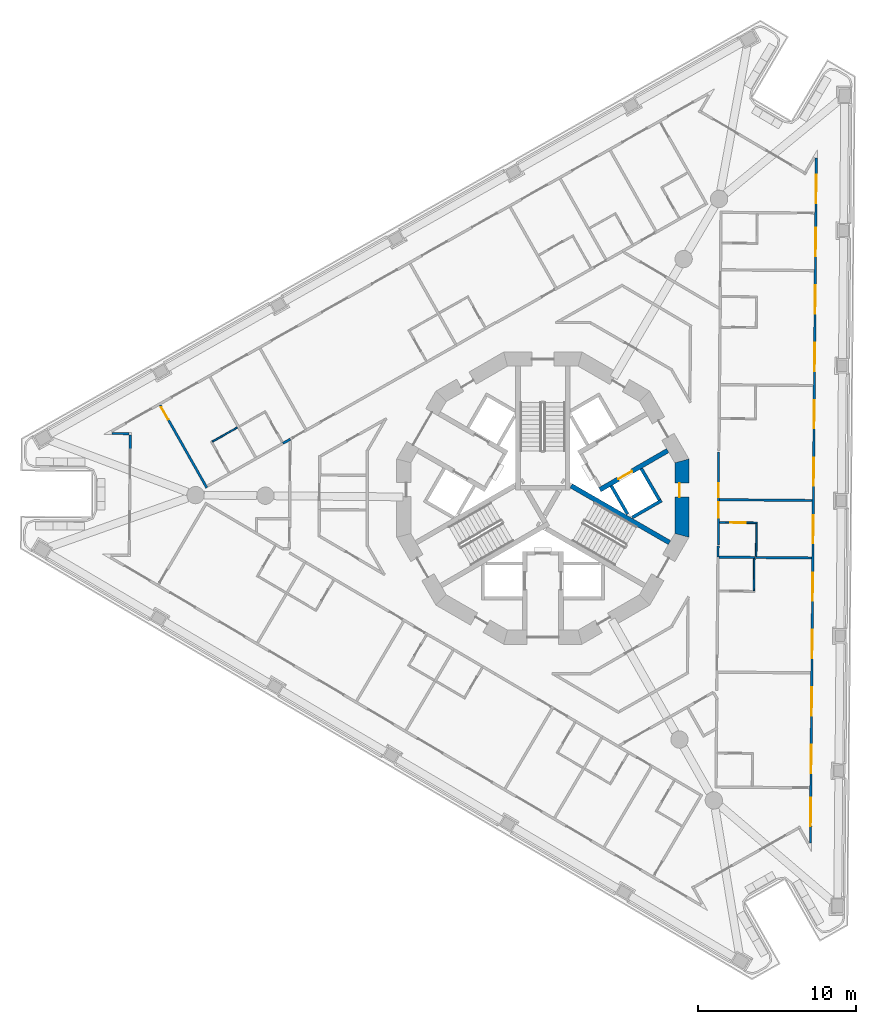
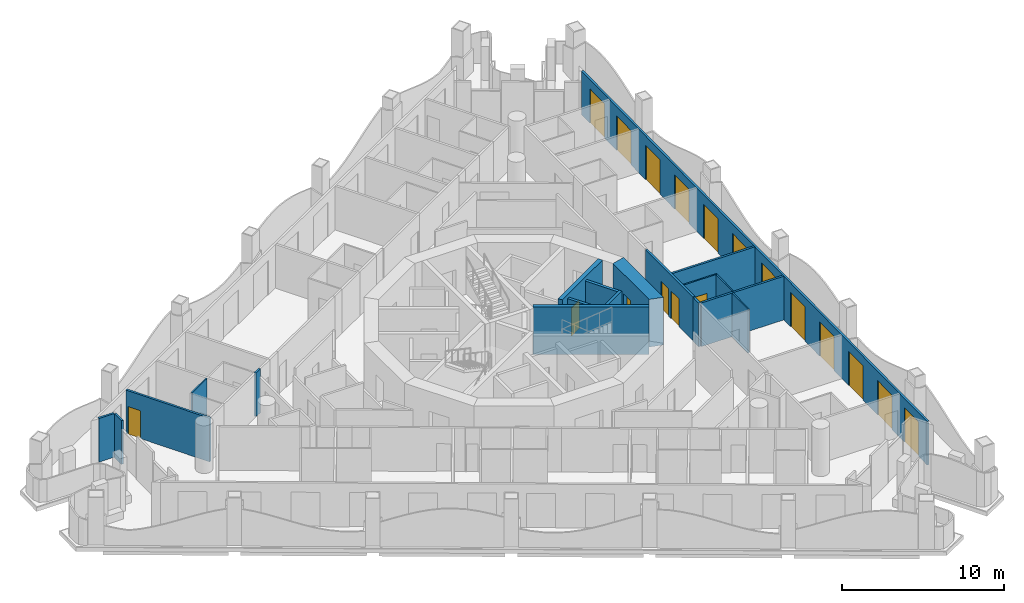
# One storey, part 6 of 17: 20 walls, 18 doors, 18 openings.
"""IFC4 building model written with IfcOpenShell, lengths in metres."""

from ifc_helpers import new_model, si_unit, direction, frame, frame_2d, origin, place, context, subcontext, project, spatial, polyline, rectangle, outline, extrude, material, layer, layer_set, type_object, element, fill, save


model = new_model("IFC4")

# Units and contexts
model_context = context("Model", 3, precision=1e-05, world=origin(), true_north=direction((0.0, 1.0)))
body_context = subcontext(model_context, "Body", "Model", "MODEL_VIEW")
ifc_project = project(units=[si_unit("LENGTHUNIT", "METRE"), si_unit("AREAUNIT", "SQUARE_METRE"), si_unit("VOLUMEUNIT", "CUBIC_METRE"), si_unit("PLANEANGLEUNIT", "RADIAN"), si_unit("MASSUNIT", "GRAM", prefix="KILO")], contexts=[model_context])

# Site, building, storey
site_placement = place(None, origin())
site = spatial("IfcSite", under=ifc_project, at=site_placement, CompositionType="ELEMENT")
building_placement = place(site_placement, origin())
building = spatial("IfcBuilding", under=site, at=building_placement, Name="Trine Commons Tower", CompositionType="ELEMENT")
storey_placement = place(building_placement, frame((0.0, 0.0, 164.699951171875)))
storey = spatial("IfcBuildingStorey", under=building, at=storey_placement, Name="L42", CompositionType="ELEMENT", Elevation=164.699951171875)

# Walls
ifc_material_1 = material(Name="Aluminium-framed insulated wall panel", Category="aluminium")
ifc_layer_1 = layer(ifc_material_1, 0.14990234375)
ifc_layer_set_1 = layer_set([ifc_layer_1], Name="Aluminium-framed insulated wall panel")
wall_type_1 = type_object("IfcWallType", Name="Glazed frame wall 150, EI 60", PredefinedType="SOLIDWALL", material=ifc_layer_set_1)
wall_1_placement = place(storey_placement, frame((53.816162109375, 65.628662109375, 0.0), z_axis=(0.0, 0.0, 1.0), x_axis=(0.008788723053, 0.999961378428, 0.0)))
element("IfcWall", 1, at=wall_1_placement, inside=storey, type_object=wall_type_1, Name="Glazed frame wall P1.5", PredefinedType="SOLIDWALL", context=body_context, shape_type="SweptSolid", body=[
    extrude(outline(polyline([(0.889892578125, 0.074951171875), (0.0, 0.074951171875), (0.0, -0.074951171875), (0.889892578125, -0.074951171875), (0.889892578125, 0.074951171875)])), origin(), (0.0, 0.0, 1.0), 3.300048828125),
])
wall_2_placement = place(storey_placement, frame((53.859619140625, 66.59326171875, 0.0), z_axis=(0.0, 0.0, 1.0), x_axis=(-0.999962043845, 0.008712684354, 0.0)))
element("IfcWall", 2, at=wall_2_placement, inside=storey, type_object=wall_type_1, Name="Glazed frame wall R3", PredefinedType="SOLIDWALL", context=body_context, shape_type="SweptSolid", body=[
    extrude(outline(polyline([(0.110107421875, 0.074951171875), (0.110107421875, -0.074951171875), (1.19580078125, -0.074951171875), (1.19580078125, 0.074951171875), (0.110107421875, 0.074951171875)])), origin(), (0.0, 0.0, 1.0), 3.300048828125),
])

# Wall, openings, doors
wall_3_placement = place(storey_placement, frame((97.36279296875, 84.232421875, 0.0), z_axis=(0.0, 0.0, 1.0), x_axis=(-0.00872447395, -0.999961941053, 0.0)))
wall_3 = element("IfcWall", 3, at=wall_3_placement, inside=storey, type_object=wall_type_1, Name="Glazed frame wall F2", PredefinedType="SOLIDWALL", context=body_context, shape_type="SweptSolid", body=[
    extrude(outline(polyline([(0.1494140625, 0.074951171875), (0.1494140625, -0.074951171875), (43.616943359375, -0.074951171875), (43.616943359375, 0.074951171875), (0.1494140625, 0.074951171875)])), origin(), (0.0, 0.0, 1.0), 3.300048828125),
])
opening_1_placement = place(wall_3_placement, frame((1.2236328125, 0.0, 0.0)))
opening_1 = element("IfcOpeningElement", 4, at=opening_1_placement, cuts=wall_3, Name="Opening BD-5F2-01", PredefinedType="OPENING", context=body_context, shape_type="SweptSolid", body=[
    extrude(rectangle(XDim=1.800048828125, YDim=2.60009765625, at=frame_2d((0.89990234375, 1.300048828125))), frame((0.0, 0.0849609375, 0.0), z_axis=(0.0, -1.0, 0.0), x_axis=(1.0, 0.0, 0.0)), (0.0, 0.0, 1.0), 0.169921875),
])
opening_2_placement = place(wall_3_placement, frame((4.57080078125, 0.0, 0.0)))
opening_2 = element("IfcOpeningElement", 5, at=opening_2_placement, cuts=wall_3, Name="Opening BD-5F2-02", PredefinedType="OPENING", context=body_context, shape_type="SweptSolid", body=[
    extrude(rectangle(XDim=1.800048828125, YDim=2.60009765625, at=frame_2d((0.89990234375, 1.300048828125))), frame((0.0, 0.0849609375, 0.0), z_axis=(0.0, -1.0, 0.0), x_axis=(1.0, 0.0, 0.0)), (0.0, 0.0, 1.0), 0.169921875),
])
opening_3_placement = place(wall_3_placement, frame((8.218017578125, 0.0, 0.0)))
opening_3 = element("IfcOpeningElement", 6, at=opening_3_placement, cuts=wall_3, Name="Opening BD-5F2-03", PredefinedType="OPENING", context=body_context, shape_type="SweptSolid", body=[
    extrude(rectangle(XDim=1.800048828125, YDim=2.60009765625, at=frame_2d((0.89990234375, 1.300048828125))), frame((0.0, 0.0849609375, 0.0), z_axis=(0.0, -1.0, 0.0), x_axis=(1.0, 0.0, 0.0)), (0.0, 0.0, 1.0), 0.169921875),
])
opening_4_placement = place(wall_3_placement, frame((11.865234375, 0.0, 0.0)))
opening_4 = element("IfcOpeningElement", 7, at=opening_4_placement, cuts=wall_3, Name="Opening BD-5F2-04", PredefinedType="OPENING", context=body_context, shape_type="SweptSolid", body=[
    extrude(rectangle(XDim=1.800048828125, YDim=2.60009765625, at=frame_2d((0.89990234375, 1.300048828125))), frame((0.0, 0.0849609375, 0.0), z_axis=(0.0, -1.0, 0.0), x_axis=(1.0, 0.0, 0.0)), (0.0, 0.0, 1.0), 0.169921875),
])
opening_5_placement = place(wall_3_placement, frame((15.512451171875, 0.0, 0.0)))
opening_5 = element("IfcOpeningElement", 8, at=opening_5_placement, cuts=wall_3, Name="Opening BD-5F2-05", PredefinedType="OPENING", context=body_context, shape_type="SweptSolid", body=[
    extrude(rectangle(XDim=1.800048828125, YDim=2.60009765625, at=frame_2d((0.89990234375, 1.300048828125))), frame((0.0, 0.0849609375, 0.0), z_axis=(0.0, -1.0, 0.0), x_axis=(1.0, 0.0, 0.0)), (0.0, 0.0, 1.0), 0.169921875),
])
opening_6_placement = place(wall_3_placement, frame((19.15966796875, 0.0, 0.0)))
opening_6 = element("IfcOpeningElement", 9, at=opening_6_placement, cuts=wall_3, Name="Opening BD-5F2-06", PredefinedType="OPENING", context=body_context, shape_type="SweptSolid", body=[
    extrude(rectangle(XDim=1.800048828125, YDim=2.60009765625, at=frame_2d((0.89990234375, 1.300048828125))), frame((0.0, 0.0849609375, 0.0), z_axis=(0.0, -1.0, 0.0), x_axis=(1.0, 0.0, 0.0)), (0.0, 0.0, 1.0), 0.169921875),
])
opening_7_placement = place(wall_3_placement, frame((22.806884765625, 0.0, 0.0)))
opening_7 = element("IfcOpeningElement", 10, at=opening_7_placement, cuts=wall_3, Name="Opening BD-5F2-07", PredefinedType="OPENING", context=body_context, shape_type="SweptSolid", body=[
    extrude(rectangle(XDim=1.800048828125, YDim=2.60009765625, at=frame_2d((0.89990234375, 1.300048828125))), frame((0.0, 0.0849609375, 0.0), z_axis=(0.0, -1.0, 0.0), x_axis=(1.0, 0.0, 0.0)), (0.0, 0.0, 1.0), 0.169921875),
])
opening_8_placement = place(wall_3_placement, frame((26.4541015625, 0.0, 0.0)))
opening_8 = element("IfcOpeningElement", 11, at=opening_8_placement, cuts=wall_3, Name="Opening BD-5F2-08", PredefinedType="OPENING", context=body_context, shape_type="SweptSolid", body=[
    extrude(rectangle(XDim=1.800048828125, YDim=2.60009765625, at=frame_2d((0.89990234375, 1.300048828125))), frame((0.0, 0.0849609375, 0.0), z_axis=(0.0, -1.0, 0.0), x_axis=(1.0, 0.0, 0.0)), (0.0, 0.0, 1.0), 0.169921875),
])
opening_9_placement = place(wall_3_placement, frame((30.101318359375, 0.0, 0.0)))
opening_9 = element("IfcOpeningElement", 12, at=opening_9_placement, cuts=wall_3, Name="Opening BD-5F2-09", PredefinedType="OPENING", context=body_context, shape_type="SweptSolid", body=[
    extrude(rectangle(XDim=1.800048828125, YDim=2.60009765625, at=frame_2d((0.89990234375, 1.300048828125))), frame((0.0, 0.0849609375, 0.0), z_axis=(0.0, -1.0, 0.0), x_axis=(1.0, 0.0, 0.0)), (0.0, 0.0, 1.0), 0.169921875),
])
opening_10_placement = place(wall_3_placement, frame((33.748291015625, 0.0, 0.0)))
opening_10 = element("IfcOpeningElement", 13, at=opening_10_placement, cuts=wall_3, Name="Opening BD-5F2-10", PredefinedType="OPENING", context=body_context, shape_type="SweptSolid", body=[
    extrude(rectangle(XDim=1.800048828125, YDim=2.60009765625, at=frame_2d((0.89990234375, 1.300048828125))), frame((0.0, 0.0849609375, 0.0), z_axis=(0.0, -1.0, 0.0), x_axis=(1.0, 0.0, 0.0)), (0.0, 0.0, 1.0), 0.169921875),
])
opening_11_placement = place(wall_3_placement, frame((37.3955078125, 0.0, 0.0)))
opening_11 = element("IfcOpeningElement", 14, at=opening_11_placement, cuts=wall_3, Name="Opening BD-5F2-11", PredefinedType="OPENING", context=body_context, shape_type="SweptSolid", body=[
    extrude(rectangle(XDim=1.800048828125, YDim=2.60009765625, at=frame_2d((0.89990234375, 1.300048828125))), frame((0.0, 0.0849609375, 0.0), z_axis=(0.0, -1.0, 0.0), x_axis=(1.0, 0.0, 0.0)), (0.0, 0.0, 1.0), 0.169921875),
])
opening_12_placement = place(wall_3_placement, frame((40.742919921875, 0.0, 0.0)))
opening_12 = element("IfcOpeningElement", 15, at=opening_12_placement, cuts=wall_3, Name="Opening BD-5F2-12", PredefinedType="OPENING", context=body_context, shape_type="SweptSolid", body=[
    extrude(rectangle(XDim=1.800048828125, YDim=2.60009765625, at=frame_2d((0.89990234375, 1.300048828125))), frame((0.0, 0.0849609375, 0.0), z_axis=(0.0, -1.0, 0.0), x_axis=(1.0, 0.0, 0.0)), (0.0, 0.0, 1.0), 0.169921875),
])
ifc_material_2 = material(Name="Anodised aluminium frame with double glazing", Category="aluminium")
door_type_1 = type_object("IfcDoorType", Name="Sliding loggia door 1800x2600", OperationType="SLIDING_TO_LEFT", PredefinedType="DOOR", material=ifc_material_2)
door_1_placement = place(opening_1_placement, origin())
door_1 = element("IfcDoor", 16, at=door_1_placement, inside=storey, type_object=door_type_1, Name="Loggia door F2 1", OperationType="SLIDING_TO_LEFT", OverallHeight=2.60009765625, OverallWidth=1.800048828125, PredefinedType="DOOR", context=body_context, shape_type="SweptSolid", body=[
    extrude(rectangle(XDim=1.800048828125, YDim=2.60009765625, at=frame_2d((0.89990234375, 1.300048828125))), frame((0.0, 0.02490234375, 0.0), z_axis=(0.0, -1.0, 0.0), x_axis=(1.0, 0.0, 0.0)), (0.0, 0.0, 1.0), 0.050048828125),
])
fill(opening_1, door_1)
door_2_placement = place(opening_2_placement, origin())
door_2 = element("IfcDoor", 17, at=door_2_placement, inside=storey, type_object=door_type_1, Name="Loggia door F2 2", OperationType="SLIDING_TO_LEFT", OverallHeight=2.60009765625, OverallWidth=1.800048828125, PredefinedType="DOOR", context=body_context, shape_type="SweptSolid", body=[
    extrude(rectangle(XDim=1.800048828125, YDim=2.60009765625, at=frame_2d((0.89990234375, 1.300048828125))), frame((0.0, 0.02490234375, 0.0), z_axis=(0.0, -1.0, 0.0), x_axis=(1.0, 0.0, 0.0)), (0.0, 0.0, 1.0), 0.050048828125),
])
fill(opening_2, door_2)
door_3_placement = place(opening_3_placement, origin())
door_3 = element("IfcDoor", 18, at=door_3_placement, inside=storey, type_object=door_type_1, Name="Loggia door F2 3", OperationType="SLIDING_TO_LEFT", OverallHeight=2.60009765625, OverallWidth=1.800048828125, PredefinedType="DOOR", context=body_context, shape_type="SweptSolid", body=[
    extrude(rectangle(XDim=1.800048828125, YDim=2.60009765625, at=frame_2d((0.89990234375, 1.300048828125))), frame((0.0, 0.02490234375, 0.0), z_axis=(0.0, -1.0, 0.0), x_axis=(1.0, 0.0, 0.0)), (0.0, 0.0, 1.0), 0.050048828125),
])
fill(opening_3, door_3)
door_4_placement = place(opening_4_placement, origin())
door_4 = element("IfcDoor", 19, at=door_4_placement, inside=storey, type_object=door_type_1, Name="Loggia door F2 4", OperationType="SLIDING_TO_LEFT", OverallHeight=2.60009765625, OverallWidth=1.800048828125, PredefinedType="DOOR", context=body_context, shape_type="SweptSolid", body=[
    extrude(rectangle(XDim=1.800048828125, YDim=2.60009765625, at=frame_2d((0.89990234375, 1.300048828125))), frame((0.0, 0.02490234375, 0.0), z_axis=(0.0, -1.0, 0.0), x_axis=(1.0, 0.0, 0.0)), (0.0, 0.0, 1.0), 0.050048828125),
])
fill(opening_4, door_4)
door_5_placement = place(opening_5_placement, origin())
door_5 = element("IfcDoor", 20, at=door_5_placement, inside=storey, type_object=door_type_1, Name="Loggia door F2 5", OperationType="SLIDING_TO_LEFT", OverallHeight=2.60009765625, OverallWidth=1.800048828125, PredefinedType="DOOR", context=body_context, shape_type="SweptSolid", body=[
    extrude(rectangle(XDim=1.800048828125, YDim=2.60009765625, at=frame_2d((0.89990234375, 1.300048828125))), frame((0.0, 0.02490234375, 0.0), z_axis=(0.0, -1.0, 0.0), x_axis=(1.0, 0.0, 0.0)), (0.0, 0.0, 1.0), 0.050048828125),
])
fill(opening_5, door_5)
door_6_placement = place(opening_6_placement, origin())
door_6 = element("IfcDoor", 21, at=door_6_placement, inside=storey, type_object=door_type_1, Name="Loggia door F2 6", OperationType="SLIDING_TO_LEFT", OverallHeight=2.60009765625, OverallWidth=1.800048828125, PredefinedType="DOOR", context=body_context, shape_type="SweptSolid", body=[
    extrude(rectangle(XDim=1.800048828125, YDim=2.60009765625, at=frame_2d((0.89990234375, 1.300048828125))), frame((0.0, 0.02490234375, 0.0), z_axis=(0.0, -1.0, 0.0), x_axis=(1.0, 0.0, 0.0)), (0.0, 0.0, 1.0), 0.050048828125),
])
fill(opening_6, door_6)
door_7_placement = place(opening_7_placement, origin())
door_7 = element("IfcDoor", 22, at=door_7_placement, inside=storey, type_object=door_type_1, Name="Loggia door F2 7", OperationType="SLIDING_TO_LEFT", OverallHeight=2.60009765625, OverallWidth=1.800048828125, PredefinedType="DOOR", context=body_context, shape_type="SweptSolid", body=[
    extrude(rectangle(XDim=1.800048828125, YDim=2.60009765625, at=frame_2d((0.89990234375, 1.300048828125))), frame((0.0, 0.02490234375, 0.0), z_axis=(0.0, -1.0, 0.0), x_axis=(1.0, 0.0, 0.0)), (0.0, 0.0, 1.0), 0.050048828125),
])
fill(opening_7, door_7)
door_8_placement = place(opening_8_placement, origin())
door_8 = element("IfcDoor", 23, at=door_8_placement, inside=storey, type_object=door_type_1, Name="Loggia door F2 8", OperationType="SLIDING_TO_LEFT", OverallHeight=2.60009765625, OverallWidth=1.800048828125, PredefinedType="DOOR", context=body_context, shape_type="SweptSolid", body=[
    extrude(rectangle(XDim=1.800048828125, YDim=2.60009765625, at=frame_2d((0.89990234375, 1.300048828125))), frame((0.0, 0.02490234375, 0.0), z_axis=(0.0, -1.0, 0.0), x_axis=(1.0, 0.0, 0.0)), (0.0, 0.0, 1.0), 0.050048828125),
])
fill(opening_8, door_8)
door_9_placement = place(opening_9_placement, origin())
door_9 = element("IfcDoor", 24, at=door_9_placement, inside=storey, type_object=door_type_1, Name="Loggia door F2 9", OperationType="SLIDING_TO_LEFT", OverallHeight=2.60009765625, OverallWidth=1.800048828125, PredefinedType="DOOR", context=body_context, shape_type="SweptSolid", body=[
    extrude(rectangle(XDim=1.800048828125, YDim=2.60009765625, at=frame_2d((0.89990234375, 1.300048828125))), frame((0.0, 0.02490234375, 0.0), z_axis=(0.0, -1.0, 0.0), x_axis=(1.0, 0.0, 0.0)), (0.0, 0.0, 1.0), 0.050048828125),
])
fill(opening_9, door_9)
door_10_placement = place(opening_10_placement, origin())
door_10 = element("IfcDoor", 25, at=door_10_placement, inside=storey, type_object=door_type_1, Name="Loggia door F2 10", OperationType="SLIDING_TO_LEFT", OverallHeight=2.60009765625, OverallWidth=1.800048828125, PredefinedType="DOOR", context=body_context, shape_type="SweptSolid", body=[
    extrude(rectangle(XDim=1.800048828125, YDim=2.60009765625, at=frame_2d((0.89990234375, 1.300048828125))), frame((0.0, 0.02490234375, 0.0), z_axis=(0.0, -1.0, 0.0), x_axis=(1.0, 0.0, 0.0)), (0.0, 0.0, 1.0), 0.050048828125),
])
fill(opening_10, door_10)
door_11_placement = place(opening_11_placement, origin())
door_11 = element("IfcDoor", 26, at=door_11_placement, inside=storey, type_object=door_type_1, Name="Loggia door F2 11", OperationType="SLIDING_TO_LEFT", OverallHeight=2.60009765625, OverallWidth=1.800048828125, PredefinedType="DOOR", context=body_context, shape_type="SweptSolid", body=[
    extrude(rectangle(XDim=1.800048828125, YDim=2.60009765625, at=frame_2d((0.89990234375, 1.300048828125))), frame((0.0, 0.02490234375, 0.0), z_axis=(0.0, -1.0, 0.0), x_axis=(1.0, 0.0, 0.0)), (0.0, 0.0, 1.0), 0.050048828125),
])
fill(opening_11, door_11)
door_12_placement = place(opening_12_placement, origin())
door_12 = element("IfcDoor", 27, at=door_12_placement, inside=storey, type_object=door_type_1, Name="Loggia door F2 12", OperationType="SLIDING_TO_LEFT", OverallHeight=2.60009765625, OverallWidth=1.800048828125, PredefinedType="DOOR", context=body_context, shape_type="SweptSolid", body=[
    extrude(rectangle(XDim=1.800048828125, YDim=2.60009765625, at=frame_2d((0.89990234375, 1.300048828125))), frame((0.0, 0.02490234375, 0.0), z_axis=(0.0, -1.0, 0.0), x_axis=(1.0, 0.0, 0.0)), (0.0, 0.0, 1.0), 0.050048828125),
])
fill(opening_12, door_12)

# Wall, opening, door
ifc_material_3 = material(Name="Concrete C60/75", Category="concrete")
ifc_layer_2 = layer(ifc_material_3, 0.300048828125)
ifc_layer_set_2 = layer_set([ifc_layer_2], Name="Concrete C60/75")
wall_type_2 = type_object("IfcWallType", Name="RC shear wall 300 mm, C60/75", PredefinedType="SHEAR", material=ifc_layer_set_2)
wall_4_placement = place(storey_placement, frame((83.618896484375, 63.031005859375, 0.0), z_axis=(0.0, 0.0, 1.0), x_axis=(0.866080953719, 0.499903772346, 0.0)))
wall_4 = element("IfcWall", 28, at=wall_4_placement, inside=storey, type_object=wall_type_2, Name="Core cross wall SWB-06 L42", PredefinedType="SHEAR", context=body_context, shape_type="SweptSolid", body=[
    extrude(rectangle(XDim=4.97314453125, YDim=0.300048828125, at=frame_2d((2.486572265625, 0.0))), origin(), (0.0, 0.0, 1.0), 3.60009765625),
])
opening_13_placement = place(wall_4_placement, frame((1.350341796875, 0.0, 0.0)))
opening_13 = element("IfcOpeningElement", 29, at=opening_13_placement, cuts=wall_4, Name="Opening LD6", PredefinedType="OPENING", context=body_context, shape_type="SweptSolid", body=[
    extrude(rectangle(XDim=1.0, YDim=2.10009765625, at=frame_2d((0.5, 1.050048828125))), frame((0.0, 0.159912109375, 0.0), z_axis=(0.0, -1.0, 0.0), x_axis=(1.0, 0.0, 0.0)), (0.0, 0.0, 1.0), 0.320068359375),
])
ifc_material_4 = material(Name="Stainless steel sliding door leaves", Category="steel")
door_type_2 = type_object("IfcDoorType", Name="Lift landing door, centre-opening sliding 1000 x 2100, FD90", OperationType="DOUBLE_DOOR_SLIDING", PredefinedType="DOOR", material=ifc_material_4)
door_13_placement = place(opening_13_placement, origin())
door_13 = element("IfcDoor", 30, at=door_13_placement, inside=storey, type_object=door_type_2, Name="Lift landing door HR2 L42", OperationType="DOUBLE_DOOR_SLIDING", OverallHeight=2.10009765625, OverallWidth=1.0, PredefinedType="DOOR", context=body_context, shape_type="SweptSolid", body=[
    extrude(rectangle(XDim=1.0, YDim=2.10009765625, at=frame_2d((0.5, 1.050048828125))), frame((0.0, 0.02490234375, 0.0), z_axis=(0.0, -1.0, 0.0), x_axis=(1.0, 0.0, 0.0)), (0.0, 0.0, 1.0), 0.050048828125),
])
fill(opening_13, door_13)

# Wall
wall_5_placement = place(storey_placement, frame((81.800048828125, 63.280029296875, 0.0), z_axis=(0.0, 0.0, 1.0), x_axis=(0.866028135082, -0.499995269223, 0.0)))
element("IfcWall", 31, at=wall_5_placement, inside=storey, type_object=wall_type_2, Name="Core cross wall SWB-18 L42", PredefinedType="SHEAR", context=body_context, shape_type="SweptSolid", body=[
    extrude(rectangle(XDim=7.2041015625, YDim=0.300048828125, at=frame_2d((3.60205078125, 0.0))), origin(), (0.0, 0.0, 1.0), 3.60009765625),
])

# Wall, opening, door
ifc_layer_3 = layer(ifc_material_3, 0.89990234375)
ifc_layer_set_3 = layer_set([ifc_layer_3], Name="Concrete C60/75")
wall_type_3 = type_object("IfcWallType", Name="RC shear wall 900 mm, C60/75", PredefinedType="SHEAR", material=ifc_layer_set_3)
wall_6_placement = place(storey_placement, frame((88.822998046875, 60.015380859375, 0.0), z_axis=(0.0, 0.0, 1.0), x_axis=(0.0, 1.0, 0.0)))
wall_6 = element("IfcWall", 32, at=wall_6_placement, inside=storey, type_object=wall_type_3, Name="Core wall CWE-01 L42", PredefinedType="SHEAR", context=body_context, shape_type="SweptSolid", body=[
    extrude(outline(polyline([(0.0, -0.449951171875), (4.969482421875, -0.449951171875), (4.728271484375, 0.449951171875), (0.2412109375, 0.449951171875), (0.0, -0.449951171875)])), origin(), (0.0, 0.0, 1.0), 3.60009765625),
])
opening_14_placement = place(wall_6_placement, frame((2.543701171875, 0.0, 0.0)))
opening_14 = element("IfcOpeningElement", 33, at=opening_14_placement, cuts=wall_6, Name="Opening K09.10", PredefinedType="OPENING", context=body_context, shape_type="SweptSolid", body=[
    extrude(rectangle(XDim=0.89990234375, YDim=2.10009765625, at=frame_2d((0.449951171875, 1.050048828125))), frame((0.0, 0.4599609375, 0.0), z_axis=(0.0, -1.0, 0.0), x_axis=(1.0, 0.0, 0.0)), (0.0, 0.0, 1.0), 0.919921875),
])
ifc_material_5 = material(Name="Steel door leaf, fire-rated", Category="steel")
door_type_3 = type_object("IfcDoorType", Name="Core room door, single leaf 900 x 2100, FD30S", OperationType="SINGLE_SWING_LEFT", PredefinedType="DOOR", material=ifc_material_5)
door_14_placement = place(opening_14_placement, origin())
door_14 = element("IfcDoor", 34, at=door_14_placement, inside=storey, type_object=door_type_3, Name="Door to Core WC L42", OperationType="SINGLE_SWING_RIGHT", OverallHeight=2.10009765625, OverallWidth=0.89990234375, PredefinedType="DOOR", context=body_context, shape_type="SweptSolid", body=[
    extrude(rectangle(XDim=0.89990234375, YDim=2.10009765625, at=frame_2d((0.449951171875, 1.050048828125))), frame((0.0, 0.1748046875, 0.0), z_axis=(0.0, -1.0, 0.0), x_axis=(1.0, 0.0, 0.0)), (0.0, 0.0, 1.0), 0.050048828125),
])
fill(opening_14, door_14)

# Walls
ifc_material_6 = material(Name="Fire-rated gypsum shaft wall system")
ifc_layer_4 = layer(ifc_material_6, 0.199951171875)
ifc_layer_set_4 = layer_set([ifc_layer_4], Name="Fire-rated gypsum shaft wall system")
wall_type_4 = type_object("IfcWallType", Name="Shaft wall 200 mm, EI 120", PredefinedType="PARTITIONING", material=ifc_layer_set_4)
wall_7_placement = place(storey_placement, frame((84.343994140625, 63.27587890625, 0.0), z_axis=(0.0, 0.0, 1.0), x_axis=(0.500271688072, -0.86586848777, 0.0)))
element("IfcWall", 35, at=wall_7_placement, inside=storey, type_object=wall_type_4, Name="Shaft wall L42", PredefinedType="PARTITIONING", context=body_context, shape_type="SweptSolid", body=[
    extrude(rectangle(XDim=2.064697265625, YDim=0.199951171875, at=frame_2d((1.0322265625, 0.0))), origin(), (0.0, 0.0, 1.0), 3.300048828125),
])
wall_8_placement = place(storey_placement, frame((85.675048828125, 61.27392578125, 0.0), z_axis=(0.0, 0.0, 1.0), x_axis=(0.866102336459, 0.499866725018, 0.0)))
element("IfcWall", 36, at=wall_8_placement, inside=storey, type_object=wall_type_4, Name="Shaft wall L42", PredefinedType="PARTITIONING", context=body_context, shape_type="SweptSolid", body=[
    extrude(rectangle(XDim=2.1484375, YDim=0.199951171875, at=frame_2d((1.07421875, 0.0))), origin(), (0.0, 0.0, 1.0), 3.300048828125),
])
wall_9_placement = place(storey_placement, frame((86.2490234375, 64.3759765625, 0.0), z_axis=(0.0, 0.0, 1.0), x_axis=(0.500136062276, -0.86594683394, 0.0)))
element("IfcWall", 37, at=wall_9_placement, inside=storey, type_object=wall_type_4, Name="Shaft wall L42", PredefinedType="PARTITIONING", context=body_context, shape_type="SweptSolid", body=[
    extrude(rectangle(XDim=2.299072265625, YDim=0.199951171875, at=frame_2d((1.1494140625, 0.0))), origin(), (0.0, 0.0, 1.0), 3.300048828125),
])

# Wall, opening, door
ifc_material_7 = material(Name="Gypsum plasterboard on steel stud", Category="steel")
ifc_layer_5 = layer(ifc_material_7, 0.14990234375)
ifc_layer_set_5 = layer_set([ifc_layer_5], Name="Gypsum plasterboard on steel stud")
wall_type_5 = type_object("IfcWallType", Name="Unit and corridor wall 150 mm, EI 60", PredefinedType="PARTITIONING", material=ifc_layer_set_5)
wall_10_placement = place(storey_placement, frame((55.708740234375, 68.401123046875, 0.0), z_axis=(0.0, 0.0, 1.0), x_axis=(0.492481823802, -0.870322729351, 0.0)))
wall_10 = element("IfcWall", 38, at=wall_10_placement, inside=storey, type_object=wall_type_5, Name="Partition 002", PredefinedType="PARTITIONING", context=body_context, shape_type="SweptSolid", body=[
    extrude(rectangle(XDim=6.024658203125, YDim=0.14990234375, at=frame_2d((3.01220703125, 0.0))), origin(), (0.0, 0.0, 1.0), 3.300048828125),
])
opening_15_placement = place(wall_10_placement, frame((0.14990234375, 0.0, 0.0)))
opening_15 = element("IfcOpeningElement", 39, at=opening_15_placement, cuts=wall_10, Name="Opening D-5A06", PredefinedType="OPENING", context=body_context, shape_type="SweptSolid", body=[
    extrude(rectangle(XDim=0.89990234375, YDim=2.10009765625, at=frame_2d((0.449951171875, 1.050048828125))), frame((0.0, 0.0849609375, 0.0), z_axis=(0.0, -1.0, 0.0), x_axis=(1.0, 0.0, 0.0)), (0.0, 0.0, 1.0), 0.169921875),
])
ifc_material_8 = material(Name="Timber fire door set", Category="wood")
door_type_4 = type_object("IfcDoorType", Name="Bedroom door 900 x 2100, FD30S", OperationType="NOTDEFINED", PredefinedType="DOOR", material=ifc_material_8)
door_15_placement = place(opening_15_placement, origin())
door_15 = element("IfcDoor", 40, at=door_15_placement, inside=storey, type_object=door_type_4, Name="Door D-5A06", OperationType="SINGLE_SWING_LEFT", OverallHeight=2.10009765625, OverallWidth=0.89990234375, PredefinedType="DOOR", context=body_context, shape_type="SweptSolid", body=[
    extrude(rectangle(XDim=0.89990234375, YDim=2.10009765625, at=frame_2d((0.449951171875, 1.050048828125))), frame((0.0, 0.02490234375, 0.0), z_axis=(0.0, -1.0, 0.0), x_axis=(1.0, 0.0, 0.0)), (0.0, 0.0, 1.0), 0.050048828125),
])
fill(opening_15, door_15)

# Walls
wall_11_placement = place(storey_placement, frame((63.507080078125, 65.97705078125, 0.0), z_axis=(0.0, 0.0, 1.0), x_axis=(0.869938000449, 0.493161104888, 0.0)))
element("IfcWall", 41, at=wall_11_placement, inside=storey, type_object=wall_type_5, Name="Partition 019", PredefinedType="PARTITIONING", context=body_context, shape_type="SweptSolid", body=[
    extrude(rectangle(XDim=0.5390625, YDim=0.14990234375, at=frame_2d((0.26953125, 0.0))), origin(), (0.0, 0.0, 1.0), 3.300048828125),
])
wall_12_placement = place(storey_placement, frame((91.115966796875, 58.751953125, 0.0), z_axis=(0.0, 0.0, 1.0), x_axis=(0.008511778806, 0.999963774155, 0.0)))
element("IfcWall", 42, at=wall_12_placement, inside=storey, type_object=wall_type_5, Name="Partition 117", PredefinedType="PARTITIONING", context=body_context, shape_type="SweptSolid", body=[
    extrude(rectangle(XDim=0.717041015625, YDim=0.14990234375, at=frame_2d((0.3583984375, 0.0))), origin(), (0.0, 0.0, 1.0), 3.300048828125),
])
wall_13_placement = place(storey_placement, frame((91.19091796875, 58.75537109375, 0.0), z_axis=(0.0, 0.0, 1.0), x_axis=(0.999958547359, -0.009105139424, 0.0)))
element("IfcWall", 43, at=wall_13_placement, inside=storey, type_object=wall_type_5, Name="Partition 118", PredefinedType="PARTITIONING", context=body_context, shape_type="SweptSolid", body=[
    extrude(rectangle(XDim=2.279052734375, YDim=0.14990234375, at=frame_2d((1.1396484375, 0.0))), origin(), (0.0, 0.0, 1.0), 3.300048828125),
])

# Wall, openings, doors
wall_14_placement = place(storey_placement, frame((91.14794921875, 59.512939453125, 0.0), z_axis=(0.0, 0.0, 1.0), x_axis=(0.0, 1.0, 0.0)))
wall_14 = element("IfcWall", 44, at=wall_14_placement, inside=storey, type_object=wall_type_5, Name="Partition 119", PredefinedType="PARTITIONING", context=body_context, shape_type="SweptSolid", body=[
    extrude(rectangle(XDim=5.899169921875, YDim=0.14990234375, at=frame_2d((2.94970703125, 0.0))), origin(), (0.0, 0.0, 1.0), 3.300048828125),
])
opening_16_placement = place(wall_14_placement, frame((3.0400390625, 0.0, 0.0)))
opening_16 = element("IfcOpeningElement", 45, at=opening_16_placement, cuts=wall_14, Name="Opening D-5A15", PredefinedType="OPENING", context=body_context, shape_type="SweptSolid", body=[
    extrude(rectangle(XDim=0.89990234375, YDim=2.10009765625, at=frame_2d((0.449951171875, 1.050048828125))), frame((0.0, 0.0849609375, 0.0), z_axis=(0.0, -1.0, 0.0), x_axis=(1.0, 0.0, 0.0)), (0.0, 0.0, 1.0), 0.169921875),
])
opening_17_placement = place(wall_14_placement, frame((1.739990234375, 0.0, 0.0)))
opening_17 = element("IfcOpeningElement", 46, at=opening_17_placement, cuts=wall_14, Name="Opening D-5A16", PredefinedType="OPENING", context=body_context, shape_type="SweptSolid", body=[
    extrude(rectangle(XDim=1.0, YDim=2.10009765625, at=frame_2d((0.5, 1.050048828125))), frame((0.0, 0.0849609375, 0.0), z_axis=(0.0, -1.0, 0.0), x_axis=(1.0, 0.0, 0.0)), (0.0, 0.0, 1.0), 0.169921875),
])
door_type_5 = type_object("IfcDoorType", Name="Bedroom door 1000 x 2100, FD30S", OperationType="NOTDEFINED", PredefinedType="DOOR", material=ifc_material_8)
door_16_placement = place(opening_17_placement, frame((1.0, 0.0, 0.0), z_axis=(0.0, 0.0, 1.0), x_axis=(-1.0, 0.0, 0.0)))
door_16 = element("IfcDoor", 47, at=door_16_placement, inside=storey, type_object=door_type_5, Name="Door D-5A16", OperationType="SINGLE_SWING_RIGHT", OverallHeight=2.10009765625, OverallWidth=1.0, PredefinedType="DOOR", context=body_context, shape_type="SweptSolid", body=[
    extrude(rectangle(XDim=1.0, YDim=2.10009765625, at=frame_2d((0.5, 1.050048828125))), frame((0.0, 0.02490234375, 0.0), z_axis=(0.0, -1.0, 0.0), x_axis=(1.0, 0.0, 0.0)), (0.0, 0.0, 1.0), 0.050048828125),
])
fill(opening_17, door_16)
door_17_placement = place(opening_16_placement, frame((0.89990234375, 0.0, 0.0), z_axis=(0.0, 0.0, 1.0), x_axis=(-1.0, 0.0, 0.0)))
door_17 = element("IfcDoor", 48, at=door_17_placement, inside=storey, type_object=door_type_4, Name="Door D-5A15", OperationType="SINGLE_SWING_LEFT", OverallHeight=2.10009765625, OverallWidth=0.89990234375, PredefinedType="DOOR", context=body_context, shape_type="SweptSolid", body=[
    extrude(rectangle(XDim=0.89990234375, YDim=2.10009765625, at=frame_2d((0.449951171875, 1.050048828125))), frame((0.0, 0.02490234375, 0.0), z_axis=(0.0, -1.0, 0.0), x_axis=(1.0, 0.0, 0.0)), (0.0, 0.0, 1.0), 0.050048828125),
])
fill(opening_16, door_17)

# Walls
wall_15_placement = place(storey_placement, frame((91.222900390625, 62.40234375, 0.0), z_axis=(0.0, 0.0, 1.0), x_axis=(0.999960815669, -0.008852520937, 0.0)))
element("IfcWall", 49, at=wall_15_placement, inside=storey, type_object=wall_type_5, Name="Partition 121", PredefinedType="PARTITIONING", context=body_context, shape_type="SweptSolid", body=[
    extrude(rectangle(XDim=5.874267578125, YDim=0.14990234375, at=frame_2d((2.93701171875, 0.0))), origin(), (0.0, 0.0, 1.0), 3.300048828125),
])
wall_16_placement = place(storey_placement, frame((93.488037109375, 58.734375, 0.0), z_axis=(0.0, 0.0, 1.0), x_axis=(0.999962431969, -0.00866802463, 0.0)))
element("IfcWall", 50, at=wall_16_placement, inside=storey, type_object=wall_type_5, Name="Partition 138", PredefinedType="PARTITIONING", context=body_context, shape_type="SweptSolid", body=[
    extrude(rectangle(XDim=3.5771484375, YDim=0.14990234375, at=frame_2d((1.78857421875, 0.0))), origin(), (0.0, 0.0, 1.0), 3.300048828125),
])
ifc_layer_6 = layer(ifc_material_7, 0.10009765625)
ifc_layer_set_6 = layer_set([ifc_layer_6], Name="Gypsum plasterboard on steel stud")
wall_type_6 = type_object("IfcWallType", Name="Unit partition 100 mm, no rating", PredefinedType="PARTITIONING", material=ifc_layer_set_6)
wall_17_placement = place(storey_placement, frame((59.026611328125, 66.085693359375, 0.0), z_axis=(0.0, 0.0, 1.0), x_axis=(0.870375876163, 0.492387889974, 0.0)))
element("IfcWall", 51, at=wall_17_placement, inside=storey, type_object=wall_type_6, Name="Partition 007", PredefinedType="PARTITIONING", context=body_context, shape_type="SweptSolid", body=[
    extrude(rectangle(XDim=1.82470703125, YDim=0.10009765625, at=frame_2d((0.912353515625, 0.0))), origin(), (0.0, 0.0, 1.0), 3.300048828125),
])

# Wall, opening, door
wall_18_placement = place(storey_placement, frame((91.222900390625, 60.954345703125, 0.0), z_axis=(0.0, 0.0, 1.0), x_axis=(0.99996214851, -0.008700663591, 0.0)))
wall_18 = element("IfcWall", 52, at=wall_18_placement, inside=storey, type_object=wall_type_6, Name="Partition 120", PredefinedType="PARTITIONING", context=body_context, shape_type="SweptSolid", body=[
    extrude(rectangle(XDim=2.385009765625, YDim=0.10009765625, at=frame_2d((1.1923828125, 0.0))), origin(), (0.0, 0.0, 1.0), 3.300048828125),
])
opening_18_placement = place(wall_18_placement, frame((0.66748046875, 0.0, 0.0)))
opening_18 = element("IfcOpeningElement", 53, at=opening_18_placement, cuts=wall_18, Name="Opening D-5A41", PredefinedType="OPENING", context=body_context, shape_type="SweptSolid", body=[
    extrude(rectangle(XDim=1.0, YDim=2.10009765625, at=frame_2d((0.5, 1.050048828125))), frame((0.0, 0.06005859375, 0.0), z_axis=(0.0, -1.0, 0.0), x_axis=(1.0, 0.0, 0.0)), (0.0, 0.0, 1.0), 0.1201171875),
])
ifc_material_9 = material(Name="Painted timber", Category="wood")
door_type_6 = type_object("IfcDoorType", Name="Internal door 1000 x 2100, NOT RATED", OperationType="NOTDEFINED", PredefinedType="DOOR", material=ifc_material_9)
door_18_placement = place(opening_18_placement, origin())
door_18 = element("IfcDoor", 54, at=door_18_placement, inside=storey, type_object=door_type_6, Name="Door D-5A41", OperationType="SINGLE_SWING_LEFT", OverallHeight=2.10009765625, OverallWidth=1.0, PredefinedType="DOOR", context=body_context, shape_type="SweptSolid", body=[
    extrude(rectangle(XDim=1.0, YDim=2.10009765625, at=frame_2d((0.5, 1.050048828125))), frame((0.0, 0.02490234375, 0.0), z_axis=(0.0, -1.0, 0.0), x_axis=(1.0, 0.0, 0.0)), (0.0, 0.0, 1.0), 0.050048828125),
])
fill(opening_18, door_18)

# Walls
wall_19_placement = place(storey_placement, frame((93.3974609375, 56.635986328125, 0.0), z_axis=(0.0, 0.0, 1.0), x_axis=(0.008805448719, 0.999961231285, 0.0)))
element("IfcWall", 55, at=wall_19_placement, inside=storey, type_object=wall_type_6, Name="Partition 134", PredefinedType="PARTITIONING", context=body_context, shape_type="SweptSolid", body=[
    extrude(rectangle(XDim=2.02392578125, YDim=0.10009765625, at=frame_2d((1.011962890625, 0.0))), origin(), (0.0, 0.0, 1.0), 3.300048828125),
])
wall_20_placement = place(storey_placement, frame((93.538818359375, 58.80908203125, 0.0), z_axis=(0.0, 0.0, 1.0), x_axis=(0.009059517597, 0.999958961728, 0.0)))
element("IfcWall", 56, at=wall_20_placement, inside=storey, type_object=wall_type_6, Name="Partition 137", PredefinedType="PARTITIONING", context=body_context, shape_type="SweptSolid", body=[
    extrude(rectangle(XDim=2.074951171875, YDim=0.10009765625, at=frame_2d((1.03759765625, 0.0))), origin(), (0.0, 0.0, 1.0), 3.300048828125),
])

save(model, "model.ifc")
